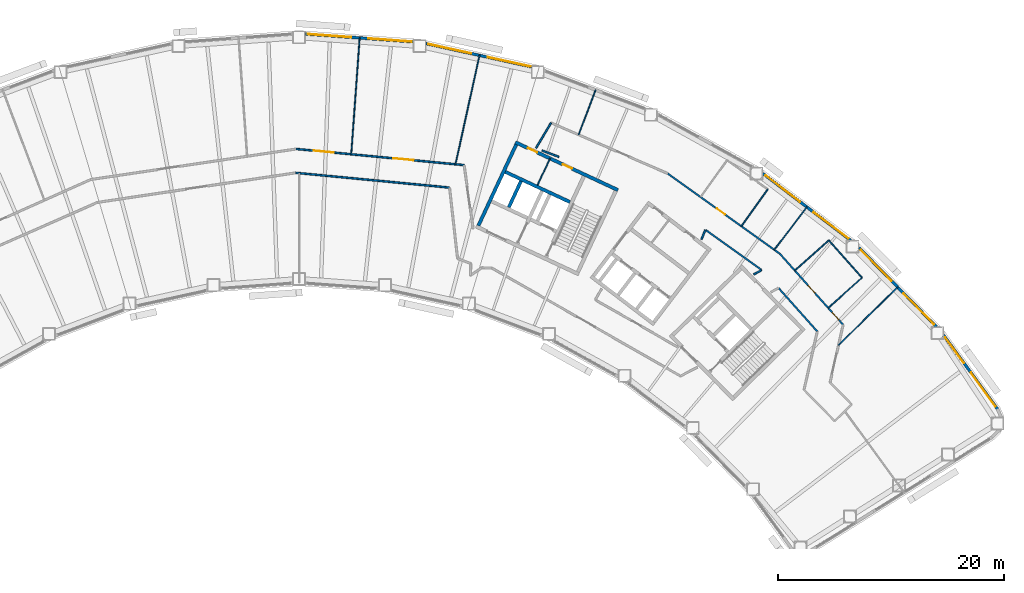
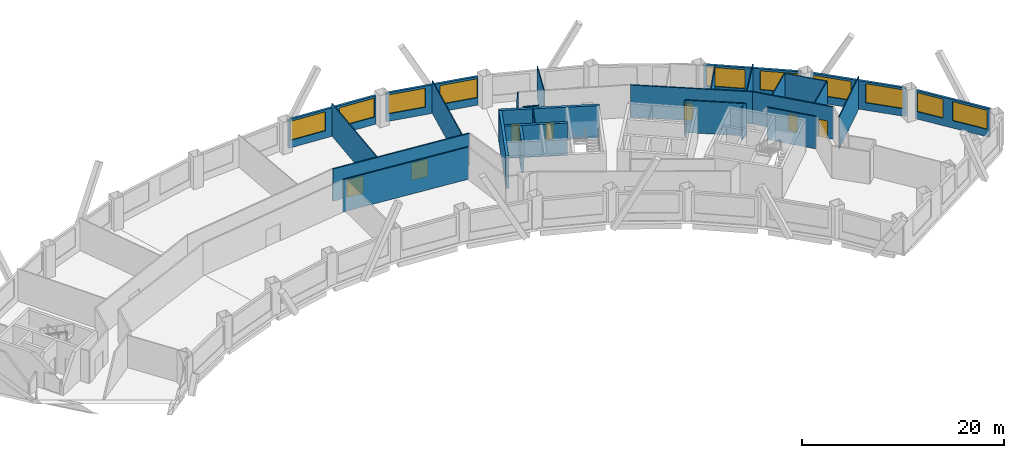
# One storey, part 7 of 11: 29 walls, 10 windows, 7 doors, 17 openings.
"""IFC4 building model written with IfcOpenShell, lengths in metres."""

from ifc_helpers import new_model, si_unit, direction, frame, frame_2d, origin, place, context, subcontext, project, spatial, rectangle, extrude, material, layer, layer_set, type_object, element, fill, save


model = new_model("IFC4")

# Units and contexts
model_context = context("Model", 3, precision=1e-05, world=origin(), true_north=direction((0.0, 1.0)))
body_context = subcontext(model_context, "Body", "Model", "MODEL_VIEW")
ifc_project = project(units=[si_unit("LENGTHUNIT", "METRE"), si_unit("AREAUNIT", "SQUARE_METRE"), si_unit("VOLUMEUNIT", "CUBIC_METRE"), si_unit("PLANEANGLEUNIT", "RADIAN"), si_unit("MASSUNIT", "GRAM", prefix="KILO")], contexts=[model_context])

# Site, building, storey
site_placement = place(None, origin())
site = spatial("IfcSite", under=ifc_project, at=site_placement, CompositionType="ELEMENT")
building_placement = place(site_placement, origin())
building = spatial("IfcBuilding", under=site, at=building_placement, Name="Tuul Gate Civic Tower", CompositionType="ELEMENT")
storey_placement = place(building_placement, frame((0.0, 0.0, 107.699951171875)))
storey = spatial("IfcBuildingStorey", under=building, at=storey_placement, Name="Level 24", CompositionType="ELEMENT", Elevation=107.699951171875)

# Wall
ifc_material_1 = material(Name="Concrete C50/60", Category="concrete")
ifc_layer_1 = layer(ifc_material_1, 0.300048828125)
ifc_layer_set_1 = layer_set([ifc_layer_1], Name="Concrete C50/60")
wall_type_1 = type_object("IfcWallType", Name="Core wall C50/60", PredefinedType="SHEAR", material=ifc_layer_set_1)
wall_1_placement = place(storey_placement, frame((33.75, -0.873779296875, 0.0), z_axis=(0.0, 0.0, 1.0), x_axis=(-0.906300917592, 0.422632992999, 0.0)))
element("IfcWall", 1, at=wall_1_placement, inside=storey, type_object=wall_type_1, Name="Core wall", PredefinedType="SHEAR", context=body_context, shape_type="SweptSolid", body=[
    extrude(rectangle(XDim=6.300048828125, YDim=0.300048828125, at=frame_2d((3.14990234375, 0.0))), origin(), (0.0, 0.0, 1.0), 3.900146484375),
])

# Wall, openings, doors
wall_2_placement = place(storey_placement, frame((37.993408203125, 0.181884765625, 0.0), z_axis=(0.0, 0.0, 1.0), x_axis=(-0.906310338845, 0.422612789327, 0.0)))
wall_2 = element("IfcWall", 2, at=wall_2_placement, inside=storey, type_object=wall_type_1, Name="Core wall", PredefinedType="SHEAR", context=body_context, shape_type="SweptSolid", body=[
    extrude(rectangle(XDim=9.999755859375, YDim=0.300048828125, at=frame_2d((5.0, 0.0))), origin(), (0.0, 0.0, 1.0), 3.900146484375),
])
opening_1_placement = place(wall_2_placement, frame((4.487548828125, 0.0, 0.0)))
opening_1 = element("IfcOpeningElement", 3, at=opening_1_placement, cuts=wall_2, Name="Opening H-D22", PredefinedType="OPENING", context=body_context, shape_type="SweptSolid", body=[
    extrude(rectangle(XDim=0.89990234375, YDim=2.10009765625, at=frame_2d((0.449951171875, 1.050048828125))), frame((0.0, 0.16015625, 0.0), z_axis=(0.0, -1.0, 0.0), x_axis=(1.0, 0.0, 0.0)), (0.0, 0.0, 1.0), 0.320068359375),
])
opening_2_placement = place(wall_2_placement, frame((7.862548828125, 0.0, 0.0)))
opening_2 = element("IfcOpeningElement", 4, at=opening_2_placement, cuts=wall_2, Name="Opening H-D23", PredefinedType="OPENING", context=body_context, shape_type="SweptSolid", body=[
    extrude(rectangle(XDim=0.89990234375, YDim=2.10009765625, at=frame_2d((0.449951171875, 1.050048828125))), frame((0.0, 0.16015625, 0.0), z_axis=(0.0, -1.0, 0.0), x_axis=(1.0, 0.0, 0.0)), (0.0, 0.0, 1.0), 0.320068359375),
])
ifc_material_2 = material(Name="Timber door leaf", Category="wood")
door_type_1 = type_object("IfcDoorType", Name="Door D09", OperationType="NOTDEFINED", PredefinedType="DOOR", material=ifc_material_2)
door_1_placement = place(opening_1_placement, origin())
door_1 = element("IfcDoor", 5, at=door_1_placement, inside=storey, type_object=door_type_1, Name="Door H-D22", OperationType="SINGLE_SWING_LEFT", OverallHeight=2.10009765625, OverallWidth=0.89990234375, PredefinedType="DOOR", context=body_context, shape_type="SweptSolid", body=[
    extrude(rectangle(XDim=0.89990234375, YDim=2.10009765625, at=frame_2d((0.449951171875, 1.050048828125))), frame((0.0, 0.02490234375, 0.0), z_axis=(0.0, -1.0, 0.0), x_axis=(1.0, 0.0, 0.0)), (0.0, 0.0, 1.0), 0.050048828125),
])
fill(opening_1, door_1)
door_2_placement = place(opening_2_placement, origin())
door_2 = element("IfcDoor", 6, at=door_2_placement, inside=storey, type_object=door_type_1, Name="Door H-D23", OperationType="SINGLE_SWING_RIGHT", OverallHeight=2.10009765625, OverallWidth=0.89990234375, PredefinedType="DOOR", context=body_context, shape_type="SweptSolid", body=[
    extrude(rectangle(XDim=0.89990234375, YDim=2.10009765625, at=frame_2d((0.449951171875, 1.050048828125))), frame((0.0, 0.02490234375, 0.0), z_axis=(0.0, -1.0, 0.0), x_axis=(1.0, 0.0, 0.0)), (0.0, 0.0, 1.0), 0.050048828125),
])
fill(opening_2, door_2)

# Walls
wall_3_placement = place(storey_placement, frame((28.349365234375, -1.33447265625, 0.0), z_axis=(0.0, 0.0, 1.0), x_axis=(0.422612891016, 0.906310291427, 0.0)))
element("IfcWall", 7, at=wall_3_placement, inside=storey, type_object=wall_type_1, Name="Core wall", PredefinedType="SHEAR", context=body_context, shape_type="SweptSolid", body=[
    extrude(rectangle(XDim=2.550048828125, YDim=0.300048828125, at=frame_2d((1.27490234375, 0.0))), origin(), (0.0, 0.0, 1.0), 3.900146484375),
])
wall_4_placement = place(storey_placement, frame((25.66455078125, -2.951416015625, 0.0), z_axis=(0.0, 0.0, 1.0), x_axis=(0.422582604137, 0.906324413596, 0.0)))
element("IfcWall", 8, at=wall_4_placement, inside=storey, type_object=wall_type_1, Name="Core wall", PredefinedType="SHEAR", context=body_context, shape_type="SweptSolid", body=[
    extrude(rectangle(XDim=7.89990234375, YDim=0.300048828125, at=frame_2d((3.949951171875, 0.0))), origin(), (0.0, 0.0, 1.0), 3.900146484375),
])

# Wall, openings, doors
ifc_material_3 = material(Name="Gypsum board partition")
ifc_layer_2 = layer(ifc_material_3, 0.14990234375)
ifc_layer_set_2 = layer_set([ifc_layer_2], Name="Gypsum board partition")
wall_type_2 = type_object("IfcWallType", Name="Corridor wall P150", PredefinedType="PARTITIONING", material=ifc_layer_set_2)
wall_5_placement = place(storey_placement, frame((52.29248046875, -5.44287109375, 0.0), z_axis=(0.0, 0.0, 1.0), x_axis=(0.665799077585, -0.746131079829, 0.0)))
wall_5 = element("IfcWall", 9, at=wall_5_placement, inside=storey, type_object=wall_type_2, Name="p006", PredefinedType="PARTITIONING", context=body_context, shape_type="SweptSolid", body=[
    extrude(rectangle(XDim=8.397216796875, YDim=0.14990234375, at=frame_2d((4.19873046875, 0.0))), origin(), (0.0, 0.0, 1.0), 3.900146484375),
])
opening_3_placement = place(wall_5_placement, frame((3.748291015625, 0.0, 0.0)))
opening_3 = element("IfcOpeningElement", 10, at=opening_3_placement, cuts=wall_5, Name="Opening H-D02", PredefinedType="OPENING", context=body_context, shape_type="SweptSolid", body=[
    extrude(rectangle(XDim=0.89990234375, YDim=2.10009765625, at=frame_2d((0.449951171875, 1.050048828125))), frame((0.0, 0.0849609375, 0.0), z_axis=(0.0, -1.0, 0.0), x_axis=(1.0, 0.0, 0.0)), (0.0, 0.0, 1.0), 0.169921875),
])
opening_4_placement = place(wall_5_placement, frame((6.938232421875, 0.0, 0.0)))
opening_4 = element("IfcOpeningElement", 11, at=opening_4_placement, cuts=wall_5, Name="Opening H-D15", PredefinedType="OPENING", context=body_context, shape_type="SweptSolid", body=[
    extrude(rectangle(XDim=0.89990234375, YDim=2.10009765625, at=frame_2d((0.449951171875, 1.050048828125))), frame((0.0, 0.0849609375, 0.0), z_axis=(0.0, -1.0, 0.0), x_axis=(1.0, 0.0, 0.0)), (0.0, 0.0, 1.0), 0.169921875),
])
door_3_placement = place(opening_3_placement, origin())
door_3 = element("IfcDoor", 12, at=door_3_placement, inside=storey, type_object=door_type_1, Name="Door H-D02", OperationType="SINGLE_SWING_RIGHT", OverallHeight=2.10009765625, OverallWidth=0.89990234375, PredefinedType="DOOR", context=body_context, shape_type="SweptSolid", body=[
    extrude(rectangle(XDim=0.89990234375, YDim=2.10009765625, at=frame_2d((0.449951171875, 1.050048828125))), frame((0.0, 0.02490234375, 0.0), z_axis=(0.0, -1.0, 0.0), x_axis=(1.0, 0.0, 0.0)), (0.0, 0.0, 1.0), 0.050048828125),
])
fill(opening_3, door_3)
door_4_placement = place(opening_4_placement, origin())
door_4 = element("IfcDoor", 13, at=door_4_placement, inside=storey, type_object=door_type_1, Name="Door H-D15", OperationType="SINGLE_SWING_LEFT", OverallHeight=2.10009765625, OverallWidth=0.89990234375, PredefinedType="DOOR", context=body_context, shape_type="SweptSolid", body=[
    extrude(rectangle(XDim=0.89990234375, YDim=2.10009765625, at=frame_2d((0.449951171875, 1.050048828125))), frame((0.0, 0.02490234375, 0.0), z_axis=(0.0, -1.0, 0.0), x_axis=(1.0, 0.0, 0.0)), (0.0, 0.0, 1.0), 0.050048828125),
])
fill(opening_4, door_4)

# Wall, opening, door
wall_6_placement = place(storey_placement, frame((42.385009765625, 1.646240234375, 0.0), z_axis=(0.0, 0.0, 1.0), x_axis=(0.813260638931, -0.581899590278, 0.0)))
wall_6 = element("IfcWall", 14, at=wall_6_placement, inside=storey, type_object=wall_type_2, Name="p010", PredefinedType="PARTITIONING", context=body_context, shape_type="SweptSolid", body=[
    extrude(rectangle(XDim=12.1826171875, YDim=0.14990234375, at=frame_2d((6.09130859375, 0.0))), origin(), (0.0, 0.0, 1.0), 3.900146484375),
])
opening_5_placement = place(wall_6_placement, frame((5.337646484375, 0.0, 0.0)))
opening_5 = element("IfcOpeningElement", 15, at=opening_5_placement, cuts=wall_6, Name="Opening H-D03", PredefinedType="OPENING", context=body_context, shape_type="SweptSolid", body=[
    extrude(rectangle(XDim=0.89990234375, YDim=2.10009765625, at=frame_2d((0.449951171875, 1.050048828125))), frame((0.0, 0.0849609375, 0.0), z_axis=(0.0, -1.0, 0.0), x_axis=(1.0, 0.0, 0.0)), (0.0, 0.0, 1.0), 0.169921875),
])
door_5_placement = place(opening_5_placement, origin())
door_5 = element("IfcDoor", 16, at=door_5_placement, inside=storey, type_object=door_type_1, Name="Door H-D03", OperationType="SINGLE_SWING_RIGHT", OverallHeight=2.10009765625, OverallWidth=0.89990234375, PredefinedType="DOOR", context=body_context, shape_type="SweptSolid", body=[
    extrude(rectangle(XDim=0.89990234375, YDim=2.10009765625, at=frame_2d((0.449951171875, 1.050048828125))), frame((0.0, 0.02490234375, 0.0), z_axis=(0.0, -1.0, 0.0), x_axis=(1.0, 0.0, 0.0)), (0.0, 0.0, 1.0), 0.050048828125),
])
fill(opening_5, door_5)

# Walls
wall_7_placement = place(storey_placement, frame((30.74609375, 3.893310546875, 0.0), z_axis=(0.0, 0.0, 1.0), x_axis=(0.514785144956, 0.85731922557, 0.0)))
element("IfcWall", 17, at=wall_7_placement, inside=storey, type_object=wall_type_2, Name="p016", PredefinedType="PARTITIONING", context=body_context, shape_type="SweptSolid", body=[
    extrude(rectangle(XDim=2.60498046875, YDim=0.14990234375, at=frame_2d((1.302490234375, 0.0))), origin(), (0.0, 0.0, 1.0), 3.900146484375),
])
wall_8_placement = place(storey_placement, frame((31.287841796875, 3.683837890625, 0.0), z_axis=(0.0, 0.0, 1.0), x_axis=(0.933158919191, -0.359464089353, 0.0)))
element("IfcWall", 18, at=wall_8_placement, inside=storey, type_object=wall_type_2, Name="p017", PredefinedType="PARTITIONING", context=body_context, shape_type="SweptSolid", body=[
    extrude(rectangle(XDim=1.585205078125, YDim=0.14990234375, at=frame_2d((0.79248046875, 0.0))), origin(), (0.0, 0.0, 1.0), 3.900146484375),
])

# Wall, openings, doors
wall_9_placement = place(storey_placement, frame((9.5673828125, 3.81640625, 0.0), z_axis=(0.0, 0.0, 1.0), x_axis=(0.995410259567, -0.095699608926, 0.0)))
wall_9 = element("IfcWall", 19, at=wall_9_placement, inside=storey, type_object=wall_type_2, Name="p019", PredefinedType="PARTITIONING", context=body_context, shape_type="SweptSolid", body=[
    extrude(rectangle(XDim=14.903564453125, YDim=0.14990234375, at=frame_2d((7.45166015625, 0.0))), origin(), (0.0, 0.0, 1.0), 3.900146484375),
])
opening_6_placement = place(wall_9_placement, frame((8.61328125, 0.0, 0.0)))
opening_6 = element("IfcOpeningElement", 20, at=opening_6_placement, cuts=wall_9, Name="Opening H-D05", PredefinedType="OPENING", context=body_context, shape_type="SweptSolid", body=[
    extrude(rectangle(XDim=1.800048828125, YDim=2.10009765625, at=frame_2d((0.89990234375, 1.050048828125))), frame((0.0, 0.0849609375, 0.0), z_axis=(0.0, -1.0, 0.0), x_axis=(1.0, 0.0, 0.0)), (0.0, 0.0, 1.0), 0.169921875),
])
opening_7_placement = place(wall_9_placement, frame((1.543701171875, 0.0, 0.0)))
opening_7 = element("IfcOpeningElement", 21, at=opening_7_placement, cuts=wall_9, Name="Opening H-D06", PredefinedType="OPENING", context=body_context, shape_type="SweptSolid", body=[
    extrude(rectangle(XDim=1.800048828125, YDim=2.10009765625, at=frame_2d((0.89990234375, 1.050048828125))), frame((0.0, 0.0849609375, 0.0), z_axis=(0.0, -1.0, 0.0), x_axis=(1.0, 0.0, 0.0)), (0.0, 0.0, 1.0), 0.169921875),
])
ifc_material_4 = material(Name="Timber door leaf, double", Category="wood")
door_type_2 = type_object("IfcDoorType", Name="Door D18", OperationType="DOUBLE_DOOR_SINGLE_SWING", PredefinedType="DOOR", material=ifc_material_4)
door_6_placement = place(opening_6_placement, origin())
door_6 = element("IfcDoor", 22, at=door_6_placement, inside=storey, type_object=door_type_2, Name="Door H-D05", OperationType="DOUBLE_DOOR_SINGLE_SWING", OverallHeight=2.10009765625, OverallWidth=1.800048828125, PredefinedType="DOOR", context=body_context, shape_type="SweptSolid", body=[
    extrude(rectangle(XDim=1.800048828125, YDim=2.10009765625, at=frame_2d((0.89990234375, 1.050048828125))), frame((0.0, 0.02490234375, 0.0), z_axis=(0.0, -1.0, 0.0), x_axis=(1.0, 0.0, 0.0)), (0.0, 0.0, 1.0), 0.050048828125),
])
fill(opening_6, door_6)
door_7_placement = place(opening_7_placement, origin())
door_7 = element("IfcDoor", 23, at=door_7_placement, inside=storey, type_object=door_type_2, Name="Door H-D06", OperationType="DOUBLE_DOOR_SINGLE_SWING", OverallHeight=2.10009765625, OverallWidth=1.800048828125, PredefinedType="DOOR", context=body_context, shape_type="SweptSolid", body=[
    extrude(rectangle(XDim=1.800048828125, YDim=2.10009765625, at=frame_2d((0.89990234375, 1.050048828125))), frame((0.0, 0.02490234375, 0.0), z_axis=(0.0, -1.0, 0.0), x_axis=(1.0, 0.0, 0.0)), (0.0, 0.0, 1.0), 0.050048828125),
])
fill(opening_7, door_7)

# Walls
wall_10_placement = place(storey_placement, frame((9.544921875, 1.708984375, 0.0), z_axis=(0.0, 0.0, 1.0), x_axis=(0.995409587422, -0.095706599925, 0.0)))
element("IfcWall", 24, at=wall_10_placement, inside=storey, type_object=wall_type_2, Name="p055", PredefinedType="PARTITIONING", context=body_context, shape_type="SweptSolid", body=[
    extrude(rectangle(XDim=13.619384765625, YDim=0.14990234375, at=frame_2d((6.8095703125, 0.0))), origin(), (0.0, 0.0, 1.0), 3.900146484375),
])
wall_11_placement = place(storey_placement, frame((52.186279296875, -8.477783203125, 0.0), z_axis=(0.0, 0.0, 1.0), x_axis=(0.665785985921, -0.746142761776, 0.0)))
element("IfcWall", 25, at=wall_11_placement, inside=storey, type_object=wall_type_2, Name="p066", PredefinedType="PARTITIONING", context=body_context, shape_type="SweptSolid", body=[
    extrude(rectangle(XDim=5.1103515625, YDim=0.14990234375, at=frame_2d((2.55517578125, 0.0))), origin(), (0.0, 0.0, 1.0), 3.900146484375),
])
wall_12_placement = place(storey_placement, frame((45.3642578125, -4.169921875, 0.0), z_axis=(0.0, 0.0, 1.0), x_axis=(0.378664690995, 0.925533927954, 0.0)))
element("IfcWall", 26, at=wall_12_placement, inside=storey, type_object=wall_type_2, Name="p076", PredefinedType="PARTITIONING", context=body_context, shape_type="SweptSolid", body=[
    extrude(rectangle(XDim=0.8955078125, YDim=0.14990234375, at=frame_2d((0.44775390625, 0.0))), origin(), (0.0, 0.0, 1.0), 3.900146484375),
])
wall_13_placement = place(storey_placement, frame((45.73388671875, -3.332275390625, 0.0), z_axis=(0.0, 0.0, 1.0), x_axis=(0.813284299396, -0.581866521081, 0.0)))
element("IfcWall", 27, at=wall_13_placement, inside=storey, type_object=wall_type_2, Name="p077", PredefinedType="PARTITIONING", context=body_context, shape_type="SweptSolid", body=[
    extrude(rectangle(XDim=6.06298828125, YDim=0.14990234375, at=frame_2d((3.031494140625, 0.0))), origin(), (0.0, 0.0, 1.0), 3.900146484375),
])
wall_14_placement = place(storey_placement, frame((49.980224609375, -7.260986328125, 0.0), z_axis=(0.0, 0.0, 1.0), x_axis=(0.880996862328, 0.473122107461, 0.0)))
element("IfcWall", 28, at=wall_14_placement, inside=storey, type_object=wall_type_2, Name="p078", PredefinedType="PARTITIONING", context=body_context, shape_type="SweptSolid", body=[
    extrude(rectangle(XDim=0.774658203125, YDim=0.14990234375, at=frame_2d((0.38720703125, 0.0))), origin(), (0.0, 0.0, 1.0), 3.900146484375),
])

# Wall, openings, windows
ifc_material_5 = material(Name="Precast concrete C40/50", Category="concrete")
ifc_layer_3 = layer(ifc_material_5, 0.25)
ifc_layer_set_3 = layer_set([ifc_layer_3], Name="Precast concrete C40/50")
wall_type_3 = type_object("IfcWallType", Name="External wall", PredefinedType="STANDARD", material=ifc_layer_set_3)
wall_15_placement = place(storey_placement, frame((71.51806640625, -19.15869140625, 0.0), z_axis=(0.0, 0.0, 1.0), x_axis=(-0.589826474226, 0.807530018205, 0.0)))
wall_15 = element("IfcWall", 29, at=wall_15_placement, inside=storey, type_object=wall_type_3, Name="External wall", PredefinedType="STANDARD", context=body_context, shape_type="SweptSolid", body=[
    extrude(rectangle(XDim=8.082275390625, YDim=0.25, at=frame_2d((4.041015625, 0.0))), origin(), (0.0, 0.0, 1.0), 3.449951171875),
])
opening_8_placement = place(wall_15_placement, frame((0.30078125, 0.0, 0.89990234375)))
opening_8 = element("IfcOpeningElement", 30, at=opening_8_placement, cuts=wall_15, Name="Opening W21", PredefinedType="OPENING", context=body_context, shape_type="SweptSolid", body=[
    extrude(rectangle(XDim=3.699951171875, YDim=2.300048828125, at=frame_2d((1.85009765625, 1.14990234375))), frame((0.0, 0.135009765625, 0.0), z_axis=(0.0, -1.0, 0.0), x_axis=(1.0, 0.0, 0.0)), (0.0, 0.0, 1.0), 0.27001953125),
])
opening_9_placement = place(wall_15_placement, frame((5.052001953125, 0.0, 0.89990234375)))
opening_9 = element("IfcOpeningElement", 31, at=opening_9_placement, cuts=wall_15, Name="Opening W23", PredefinedType="OPENING", context=body_context, shape_type="SweptSolid", body=[
    extrude(rectangle(XDim=2.800048828125, YDim=2.300048828125, at=frame_2d((1.39990234375, 1.14990234375))), frame((0.0, 0.135009765625, 0.0), z_axis=(0.0, -1.0, 0.0), x_axis=(1.0, 0.0, 0.0)), (0.0, 0.0, 1.0), 0.27001953125),
])
ifc_material_6 = material(Name="Glass", Category="glass")
window_type_1 = type_object("IfcWindowType", Name="Window W21 3700 x 2300", PartitioningType="SINGLE_PANEL", PredefinedType="WINDOW", material=ifc_material_6)
window_1_placement = place(opening_8_placement, origin())
window_1 = element("IfcWindow", 32, at=window_1_placement, inside=storey, type_object=window_type_1, Name="Window", OverallHeight=2.300048828125, OverallWidth=3.699951171875, PartitioningType="SINGLE_PANEL", PredefinedType="WINDOW", context=body_context, shape_type="SweptSolid", body=[
    extrude(rectangle(XDim=3.699951171875, YDim=2.300048828125, at=frame_2d((1.85009765625, 1.14990234375))), frame((0.0, 0.030029296875, 0.0), z_axis=(0.0, -1.0, 0.0), x_axis=(1.0, 0.0, 0.0)), (0.0, 0.0, 1.0), 0.06005859375),
])
fill(opening_8, window_1)
ifc_material_7 = material(Name="Glass", Category="glass")
window_type_2 = type_object("IfcWindowType", Name="Window W23 2800 x 2300", PartitioningType="SINGLE_PANEL", PredefinedType="WINDOW", material=ifc_material_7)
window_2_placement = place(opening_9_placement, origin())
window_2 = element("IfcWindow", 33, at=window_2_placement, inside=storey, type_object=window_type_2, Name="Window", OverallHeight=2.300048828125, OverallWidth=2.800048828125, PartitioningType="SINGLE_PANEL", PredefinedType="WINDOW", context=body_context, shape_type="SweptSolid", body=[
    extrude(rectangle(XDim=2.800048828125, YDim=2.300048828125, at=frame_2d((1.39990234375, 1.14990234375))), frame((0.0, 0.030029296875, 0.0), z_axis=(0.0, -1.0, 0.0), x_axis=(1.0, 0.0, 0.0)), (0.0, 0.0, 1.0), 0.06005859375),
])
fill(opening_9, window_2)

wall_16_placement = place(storey_placement, frame((66.1162109375, -11.87890625, 0.0), z_axis=(0.0, 0.0, 1.0), x_axis=(-0.700013456131, 0.714129652959, 0.0)))
wall_16 = element("IfcWall", 34, at=wall_16_placement, inside=storey, type_object=wall_type_3, Name="External wall", PredefinedType="STANDARD", context=body_context, shape_type="SweptSolid", body=[
    extrude(rectangle(XDim=9.771728515625, YDim=0.25, at=frame_2d((4.8857421875, 0.0))), origin(), (0.0, 0.0, 1.0), 3.449951171875),
])
opening_10_placement = place(wall_16_placement, frame((0.275634765625, 0.0, 0.89990234375)))
opening_10 = element("IfcOpeningElement", 35, at=opening_10_placement, cuts=wall_16, Name="Opening W22", PredefinedType="OPENING", context=body_context, shape_type="SweptSolid", body=[
    extrude(rectangle(XDim=3.85009765625, YDim=2.300048828125, at=frame_2d((1.925048828125, 1.14990234375))), frame((0.0, 0.135009765625, 0.0), z_axis=(0.0, -1.0, 0.0), x_axis=(1.0, 0.0, 0.0)), (0.0, 0.0, 1.0), 0.27001953125),
])
opening_11_placement = place(wall_16_placement, frame((5.64697265625, 0.0, 0.89990234375)))
opening_11 = element("IfcOpeningElement", 36, at=opening_11_placement, cuts=wall_16, Name="Opening W22", PredefinedType="OPENING", context=body_context, shape_type="SweptSolid", body=[
    extrude(rectangle(XDim=3.85009765625, YDim=2.300048828125, at=frame_2d((1.925048828125, 1.14990234375))), frame((0.0, 0.135009765625, 0.0), z_axis=(0.0, -1.0, 0.0), x_axis=(1.0, 0.0, 0.0)), (0.0, 0.0, 1.0), 0.27001953125),
])
ifc_material_8 = material(Name="Glass", Category="glass")
window_type_3 = type_object("IfcWindowType", Name="Window W22 3850 x 2300", PartitioningType="SINGLE_PANEL", PredefinedType="WINDOW", material=ifc_material_8)
window_3_placement = place(opening_10_placement, origin())
window_3 = element("IfcWindow", 37, at=window_3_placement, inside=storey, type_object=window_type_3, Name="Window", OverallHeight=2.300048828125, OverallWidth=3.85009765625, PartitioningType="SINGLE_PANEL", PredefinedType="WINDOW", context=body_context, shape_type="SweptSolid", body=[
    extrude(rectangle(XDim=3.85009765625, YDim=2.300048828125, at=frame_2d((1.925048828125, 1.14990234375))), frame((0.0, 0.030029296875, 0.0), z_axis=(0.0, -1.0, 0.0), x_axis=(1.0, 0.0, 0.0)), (0.0, 0.0, 1.0), 0.06005859375),
])
fill(opening_10, window_3)
window_4_placement = place(opening_11_placement, origin())
window_4 = element("IfcWindow", 38, at=window_4_placement, inside=storey, type_object=window_type_3, Name="Window", OverallHeight=2.300048828125, OverallWidth=3.85009765625, PartitioningType="SINGLE_PANEL", PredefinedType="WINDOW", context=body_context, shape_type="SweptSolid", body=[
    extrude(rectangle(XDim=3.85009765625, YDim=2.300048828125, at=frame_2d((1.925048828125, 1.14990234375))), frame((0.0, 0.030029296875, 0.0), z_axis=(0.0, -1.0, 0.0), x_axis=(1.0, 0.0, 0.0)), (0.0, 0.0, 1.0), 0.06005859375),
])
fill(opening_11, window_4)

wall_17_placement = place(storey_placement, frame((58.540283203125, -4.25390625, 0.0), z_axis=(0.0, 0.0, 1.0), x_axis=(-0.795623043201, 0.605792021346, 0.0)))
wall_17 = element("IfcWall", 39, at=wall_17_placement, inside=storey, type_object=wall_type_3, Name="External wall", PredefinedType="STANDARD", context=body_context, shape_type="SweptSolid", body=[
    extrude(rectangle(XDim=9.75244140625, YDim=0.25, at=frame_2d((4.876220703125, 0.0))), origin(), (0.0, 0.0, 1.0), 3.449951171875),
])
opening_12_placement = place(wall_17_placement, frame((0.24658203125, 0.0, 0.89990234375)))
opening_12 = element("IfcOpeningElement", 40, at=opening_12_placement, cuts=wall_17, Name="Opening W22", PredefinedType="OPENING", context=body_context, shape_type="SweptSolid", body=[
    extrude(rectangle(XDim=3.85009765625, YDim=2.300048828125, at=frame_2d((1.925048828125, 1.14990234375))), frame((0.0, 0.135009765625, 0.0), z_axis=(0.0, -1.0, 0.0), x_axis=(1.0, 0.0, 0.0)), (0.0, 0.0, 1.0), 0.27001953125),
])
opening_13_placement = place(wall_17_placement, frame((5.617919921875, 0.0, 0.89990234375)))
opening_13 = element("IfcOpeningElement", 41, at=opening_13_placement, cuts=wall_17, Name="Opening W22", PredefinedType="OPENING", context=body_context, shape_type="SweptSolid", body=[
    extrude(rectangle(XDim=3.85009765625, YDim=2.300048828125, at=frame_2d((1.925048828125, 1.14990234375))), frame((0.0, 0.135009765625, 0.0), z_axis=(0.0, -1.0, 0.0), x_axis=(1.0, 0.0, 0.0)), (0.0, 0.0, 1.0), 0.27001953125),
])
window_5_placement = place(opening_12_placement, origin())
window_5 = element("IfcWindow", 42, at=window_5_placement, inside=storey, type_object=window_type_3, Name="Window", OverallHeight=2.300048828125, OverallWidth=3.85009765625, PartitioningType="SINGLE_PANEL", PredefinedType="WINDOW", context=body_context, shape_type="SweptSolid", body=[
    extrude(rectangle(XDim=3.85009765625, YDim=2.300048828125, at=frame_2d((1.925048828125, 1.14990234375))), frame((0.0, 0.030029296875, 0.0), z_axis=(0.0, -1.0, 0.0), x_axis=(1.0, 0.0, 0.0)), (0.0, 0.0, 1.0), 0.06005859375),
])
fill(opening_12, window_5)
window_6_placement = place(opening_13_placement, origin())
window_6 = element("IfcWindow", 43, at=window_6_placement, inside=storey, type_object=window_type_3, Name="Window", OverallHeight=2.300048828125, OverallWidth=3.85009765625, PartitioningType="SINGLE_PANEL", PredefinedType="WINDOW", context=body_context, shape_type="SweptSolid", body=[
    extrude(rectangle(XDim=3.85009765625, YDim=2.300048828125, at=frame_2d((1.925048828125, 1.14990234375))), frame((0.0, 0.030029296875, 0.0), z_axis=(0.0, -1.0, 0.0), x_axis=(1.0, 0.0, 0.0)), (0.0, 0.0, 1.0), 0.06005859375),
])
fill(opening_13, window_6)

wall_18_placement = place(storey_placement, frame((30.35498046875, 11.070556640625, 0.0), z_axis=(0.0, 0.0, 1.0), x_axis=(-0.976562109563, 0.215235792019, 0.0)))
wall_18 = element("IfcWall", 44, at=wall_18_placement, inside=storey, type_object=wall_type_3, Name="External wall", PredefinedType="STANDARD", context=body_context, shape_type="SweptSolid", body=[
    extrude(rectangle(XDim=9.55078125, YDim=0.25, at=frame_2d((4.775390625, 0.0))), origin(), (0.0, 0.0, 1.0), 3.449951171875),
])
opening_14_placement = place(wall_18_placement, frame((0.093017578125, 0.0, 0.89990234375)))
opening_14 = element("IfcOpeningElement", 45, at=opening_14_placement, cuts=wall_18, Name="Opening W22", PredefinedType="OPENING", context=body_context, shape_type="SweptSolid", body=[
    extrude(rectangle(XDim=3.85009765625, YDim=2.300048828125, at=frame_2d((1.925048828125, 1.14990234375))), frame((0.0, 0.135009765625, 0.0), z_axis=(0.0, -1.0, 0.0), x_axis=(1.0, 0.0, 0.0)), (0.0, 0.0, 1.0), 0.27001953125),
])
opening_15_placement = place(wall_18_placement, frame((5.46435546875, 0.0, 0.89990234375)))
opening_15 = element("IfcOpeningElement", 46, at=opening_15_placement, cuts=wall_18, Name="Opening W22", PredefinedType="OPENING", context=body_context, shape_type="SweptSolid", body=[
    extrude(rectangle(XDim=3.85009765625, YDim=2.300048828125, at=frame_2d((1.925048828125, 1.14990234375))), frame((0.0, 0.135009765625, 0.0), z_axis=(0.0, -1.0, 0.0), x_axis=(1.0, 0.0, 0.0)), (0.0, 0.0, 1.0), 0.27001953125),
])
window_7_placement = place(opening_14_placement, origin())
window_7 = element("IfcWindow", 47, at=window_7_placement, inside=storey, type_object=window_type_3, Name="Window", OverallHeight=2.300048828125, OverallWidth=3.85009765625, PartitioningType="SINGLE_PANEL", PredefinedType="WINDOW", context=body_context, shape_type="SweptSolid", body=[
    extrude(rectangle(XDim=3.85009765625, YDim=2.300048828125, at=frame_2d((1.925048828125, 1.14990234375))), frame((0.0, 0.030029296875, 0.0), z_axis=(0.0, -1.0, 0.0), x_axis=(1.0, 0.0, 0.0)), (0.0, 0.0, 1.0), 0.06005859375),
])
fill(opening_14, window_7)
window_8_placement = place(opening_15_placement, origin())
window_8 = element("IfcWindow", 48, at=window_8_placement, inside=storey, type_object=window_type_3, Name="Window", OverallHeight=2.300048828125, OverallWidth=3.85009765625, PartitioningType="SINGLE_PANEL", PredefinedType="WINDOW", context=body_context, shape_type="SweptSolid", body=[
    extrude(rectangle(XDim=3.85009765625, YDim=2.300048828125, at=frame_2d((1.925048828125, 1.14990234375))), frame((0.0, 0.030029296875, 0.0), z_axis=(0.0, -1.0, 0.0), x_axis=(1.0, 0.0, 0.0)), (0.0, 0.0, 1.0), 0.06005859375),
])
fill(opening_15, window_8)

wall_19_placement = place(storey_placement, frame((19.927978515625, 13.2802734375, 0.0), z_axis=(0.0, 0.0, 1.0), x_axis=(-0.997379785239, 0.072343375623, 0.0)))
wall_19 = element("IfcWall", 49, at=wall_19_placement, inside=storey, type_object=wall_type_3, Name="External wall", PredefinedType="STANDARD", context=body_context, shape_type="SweptSolid", body=[
    extrude(rectangle(XDim=9.57421875, YDim=0.25, at=frame_2d((4.787109375, 0.0))), origin(), (0.0, 0.0, 1.0), 3.449951171875),
])
opening_16_placement = place(wall_19_placement, frame((0.153076171875, 0.0, 0.89990234375)))
opening_16 = element("IfcOpeningElement", 50, at=opening_16_placement, cuts=wall_19, Name="Opening W22", PredefinedType="OPENING", context=body_context, shape_type="SweptSolid", body=[
    extrude(rectangle(XDim=3.85009765625, YDim=2.300048828125, at=frame_2d((1.925048828125, 1.14990234375))), frame((0.0, 0.135009765625, 0.0), z_axis=(0.0, -1.0, 0.0), x_axis=(1.0, 0.0, 0.0)), (0.0, 0.0, 1.0), 0.27001953125),
])
opening_17_placement = place(wall_19_placement, frame((5.524169921875, 0.0, 0.89990234375)))
opening_17 = element("IfcOpeningElement", 51, at=opening_17_placement, cuts=wall_19, Name="Opening W22", PredefinedType="OPENING", context=body_context, shape_type="SweptSolid", body=[
    extrude(rectangle(XDim=3.85009765625, YDim=2.300048828125, at=frame_2d((1.925048828125, 1.14990234375))), frame((0.0, 0.135009765625, 0.0), z_axis=(0.0, -1.0, 0.0), x_axis=(1.0, 0.0, 0.0)), (0.0, 0.0, 1.0), 0.27001953125),
])
window_9_placement = place(opening_16_placement, origin())
window_9 = element("IfcWindow", 52, at=window_9_placement, inside=storey, type_object=window_type_3, Name="Window", OverallHeight=2.300048828125, OverallWidth=3.85009765625, PartitioningType="SINGLE_PANEL", PredefinedType="WINDOW", context=body_context, shape_type="SweptSolid", body=[
    extrude(rectangle(XDim=3.85009765625, YDim=2.300048828125, at=frame_2d((1.925048828125, 1.14990234375))), frame((0.0, 0.030029296875, 0.0), z_axis=(0.0, -1.0, 0.0), x_axis=(1.0, 0.0, 0.0)), (0.0, 0.0, 1.0), 0.06005859375),
])
fill(opening_16, window_9)
window_10_placement = place(opening_17_placement, origin())
window_10 = element("IfcWindow", 53, at=window_10_placement, inside=storey, type_object=window_type_3, Name="Window", OverallHeight=2.300048828125, OverallWidth=3.85009765625, PartitioningType="SINGLE_PANEL", PredefinedType="WINDOW", context=body_context, shape_type="SweptSolid", body=[
    extrude(rectangle(XDim=3.85009765625, YDim=2.300048828125, at=frame_2d((1.925048828125, 1.14990234375))), frame((0.0, 0.030029296875, 0.0), z_axis=(0.0, -1.0, 0.0), x_axis=(1.0, 0.0, 0.0)), (0.0, 0.0, 1.0), 0.06005859375),
])
fill(opening_17, window_10)

# Walls
ifc_material_9 = material(Name="Gypsum board partition")
ifc_layer_4 = layer(ifc_material_9, 0.10009765625)
ifc_layer_set_4 = layer_set([ifc_layer_4], Name="Gypsum board partition")
wall_type_4 = type_object("IfcWallType", Name="Partition P100", PredefinedType="PARTITIONING", material=ifc_layer_set_4)
wall_20_placement = place(storey_placement, frame((57.474853515625, -13.507080078125, 0.0), z_axis=(0.0, 0.0, 1.0), x_axis=(0.714129754516, 0.700013352527, 0.0)))
element("IfcWall", 54, at=wall_20_placement, inside=storey, type_object=wall_type_4, Name="p005", PredefinedType="PARTITIONING", context=body_context, shape_type="SweptSolid", body=[
    extrude(rectangle(XDim=7.315673828125, YDim=0.10009765625, at=frame_2d((3.65771484375, 0.0))), origin(), (0.0, 0.0, 1.0), 3.900146484375),
])
wall_21_placement = place(storey_placement, frame((53.616455078125, -6.926513671875, 0.0), z_axis=(0.0, 0.0, 1.0), x_axis=(0.746118035581, 0.665813695399, 0.0)))
element("IfcWall", 55, at=wall_21_placement, inside=storey, type_object=wall_type_4, Name="p007", PredefinedType="PARTITIONING", context=body_context, shape_type="SweptSolid", body=[
    extrude(rectangle(XDim=4.010009765625, YDim=0.10009765625, at=frame_2d((2.0048828125, 0.0))), origin(), (0.0, 0.0, 1.0), 3.900146484375),
])
wall_22_placement = place(storey_placement, frame((56.6083984375, -4.256591796875, 0.0), z_axis=(0.0, 0.0, 1.0), x_axis=(0.665781945769, -0.746146366799, 0.0)))
element("IfcWall", 56, at=wall_22_placement, inside=storey, type_object=wall_type_4, Name="p008", PredefinedType="PARTITIONING", context=body_context, shape_type="SweptSolid", body=[
    extrude(rectangle(XDim=4.420166015625, YDim=0.10009765625, at=frame_2d((2.2099609375, 0.0))), origin(), (0.0, 0.0, 1.0), 3.900146484375),
])
for number, where, z_axis, x_axis, name in (
    (57, (56.55908203125, -10.224365234375, 0.0), (0.0, 0.0, 1.0), (0.746175267407, 0.665749555246, 0.0), "p009"),
    (58, (48.88916015625, -3.007568359375, 0.0), (0.0, 0.0, 1.0), (0.58190604967, 0.813256017105, 0.0), "p013"),
):
    element("IfcWall", number, at=place(storey_placement, frame(where, z_axis=z_axis, x_axis=x_axis)), inside=storey, type_object=wall_type_4, Name=name, PredefinedType="PARTITIONING", context=body_context, shape_type="SweptSolid", body=[
        extrude(rectangle(XDim=4.010009765625, YDim=0.10009765625, at=frame_2d((2.0048828125, 0.0))), origin(), (0.0, 0.0, 1.0), 3.900146484375),
    ])
wall_23_placement = place(storey_placement, frame((23.6416015625, 2.46337890625, 0.0), z_axis=(0.0, 0.0, 1.0), x_axis=(0.215219975955, 0.976565595314, 0.0)))
element("IfcWall", 59, at=wall_23_placement, inside=storey, type_object=wall_type_4, Name="p014", PredefinedType="PARTITIONING", context=body_context, shape_type="SweptSolid", body=[
    extrude(rectangle(XDim=9.85546875, YDim=0.10009765625, at=frame_2d((4.927734375, 0.0))), origin(), (0.0, 0.0, 1.0), 3.900146484375),
])
wall_24_placement = place(storey_placement, frame((34.515625, 5.07080078125, 0.0), z_axis=(0.0, 0.0, 1.0), x_axis=(0.353734196343, 0.935345988572, 0.0)))
element("IfcWall", 60, at=wall_24_placement, inside=storey, type_object=wall_type_4, Name="p020", PredefinedType="PARTITIONING", context=body_context, shape_type="SweptSolid", body=[
    extrude(rectangle(XDim=4.240478515625, YDim=0.10009765625, at=frame_2d((2.1201171875, 0.0))), origin(), (0.0, 0.0, 1.0), 3.900146484375),
])
wall_25_placement = place(storey_placement, frame((14.4326171875, 3.348876953125, 0.0), z_axis=(0.0, 0.0, 1.0), x_axis=(0.072261967896, 0.997385686681, 0.0)))
element("IfcWall", 61, at=wall_25_placement, inside=storey, type_object=wall_type_4, Name="p021", PredefinedType="PARTITIONING", context=body_context, shape_type="SweptSolid", body=[
    extrude(rectangle(XDim=10.307861328125, YDim=0.10009765625, at=frame_2d((5.15380859375, 0.0))), origin(), (0.0, 0.0, 1.0), 3.900146484375),
])
wall_26_placement = place(storey_placement, frame((51.799072265625, -5.089599609375, 0.0), z_axis=(0.0, 0.0, 1.0), x_axis=(0.60582655805, 0.79559674557, 0.0)))
element("IfcWall", 62, at=wall_26_placement, inside=storey, type_object=wall_type_4, Name="p079", PredefinedType="PARTITIONING", context=body_context, shape_type="SweptSolid", body=[
    extrude(rectangle(XDim=4.753662109375, YDim=0.10009765625, at=frame_2d((2.376953125, 0.0))), origin(), (0.0, 0.0, 1.0), 3.900146484375),
])
wall_27_placement = place(storey_placement, frame((30.890380859375, 0.625, 0.0), z_axis=(0.0, 0.0, 1.0), x_axis=(0.422597606916, 0.906317418253, 0.0)))
element("IfcWall", 63, at=wall_27_placement, inside=storey, type_object=wall_type_4, Name="bE3-BAND-0", PredefinedType="PARTITIONING", context=body_context, shape_type="SweptSolid", body=[
    extrude(rectangle(XDim=2.600341796875, YDim=0.10009765625, at=frame_2d((1.30029296875, 0.0))), origin(), (0.0, 0.0, 1.0), 3.900146484375),
])

save(model, "model.ifc")
